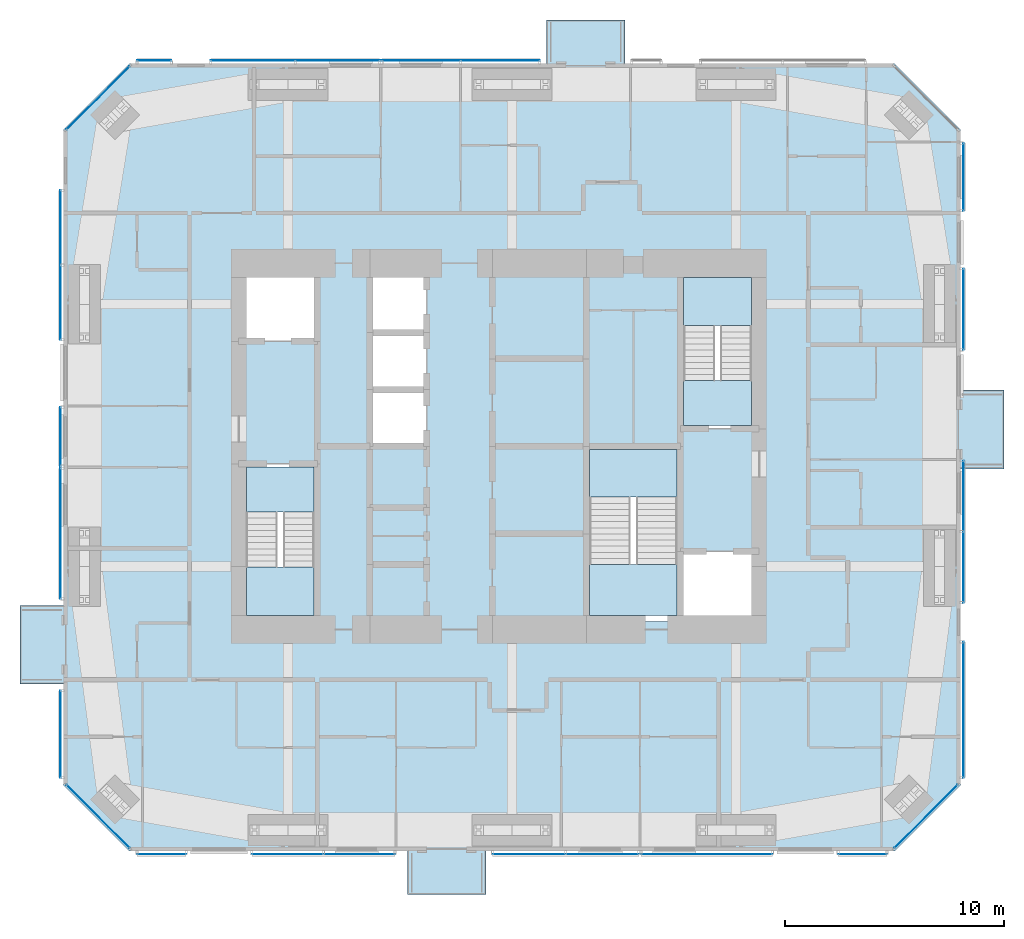
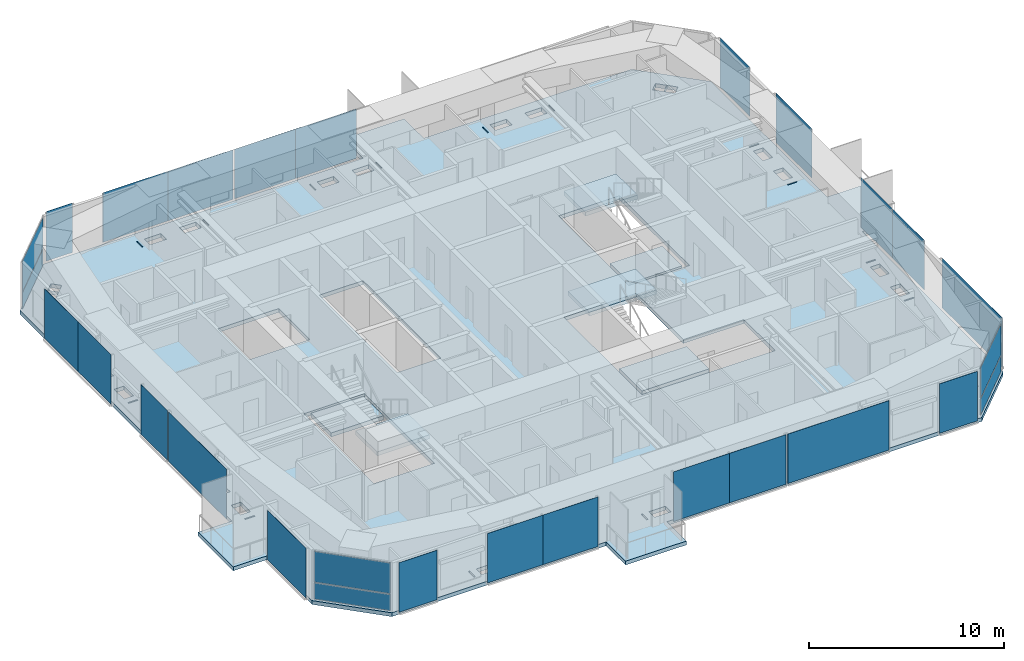
# One storey, part 15 of 23: 28 plates, 7 slabs, 22 elements without a shape of their own.
"""IFC4 building model written with IfcOpenShell, lengths in metres."""

from ifc_helpers import new_model, si_unit, direction, frame, origin, origin_2d, place, context, subcontext, project, spatial, polyline, rectangle, outline, extrude, material, layer, layer_set, type_object, element, aggregate, save


model = new_model("IFC4")

# Units and contexts
model_context = context("Model", 3, precision=1e-05, world=origin(), true_north=direction((0.0, 1.0)))
body_context = subcontext(model_context, "Body", "Model", "MODEL_VIEW")
ifc_project = project(units=[si_unit("LENGTHUNIT", "METRE"), si_unit("AREAUNIT", "SQUARE_METRE"), si_unit("VOLUMEUNIT", "CUBIC_METRE"), si_unit("PLANEANGLEUNIT", "RADIAN"), si_unit("MASSUNIT", "GRAM", prefix="KILO")], contexts=[model_context])

# Site, building, storey
site_placement = place(None, origin())
site = spatial("IfcSite", under=ifc_project, at=site_placement, CompositionType="ELEMENT")
building_placement = place(site_placement, origin())
building = spatial("IfcBuilding", under=site, at=building_placement, Name="Jalousie Tower", CompositionType="ELEMENT")
storey_placement = place(building_placement, frame((0.0, 0.0, 181.14990234375)))
storey = spatial("IfcBuildingStorey", under=building, at=storey_placement, Name="L49", CompositionType="ELEMENT", Elevation=181.14990234375)

# Curtain wall, plates
ifc_material_1 = material(Name="Aluminium curtain wall", Category="aluminium")
curtain_wall_type_1 = type_object("IfcCurtainWallType", Name="CORNER WINDOW WALL", PredefinedType="USERDEFINED", material=ifc_material_1)
curtain_wall_1_placement = place(storey_placement, origin())
curtain_wall_1 = element("IfcCurtainWall", 1, at=curtain_wall_1_placement, inside=storey, type_object=curtain_wall_type_1, Name="Corner Window Wall L49 2", ObjectType="CORNER WINDOW WALL", PredefinedType="USERDEFINED")
ifc_material_2 = material(Name="Laminated impact-rated spandrel glass", Category="glass")
ifc_layer_1 = layer(ifc_material_2, 0.028076171875)
ifc_layer_set_1 = layer_set([ifc_layer_1], Name="Laminated impact-rated spandrel glass")
plate_type_1 = type_object("IfcPlateType", Name="CORNER WINDOW WALL PANEL", PredefinedType="CURTAIN_PANEL", material=ifc_layer_set_1)
plate_1_placement = place(storey_placement, frame((51.4306640625, 1.5693359375, 0.06005859375), z_axis=(0.0, 0.0, 1.0), x_axis=(0.707106781187, 0.707106781187, 0.0)))
plate_1 = element("IfcPlate", 2, at=plate_1_placement, type_object=plate_type_1, Name="CW-C panel 1.1", PredefinedType="CURTAIN_PANEL", context=body_context, shape_type="SweptSolid", body=[
    extrude(rectangle(XDim=4.071533203125, YDim=0.028076171875, at=origin_2d()), origin(), (0.0, 0.0, 1.0), 1.010009765625),
])
plate_2_placement = place(storey_placement, frame((51.4306640625, 1.5693359375, 1.130126953125), z_axis=(0.0, 0.0, 1.0), x_axis=(0.707106781187, 0.707106781187, 0.0)))
plate_2 = element("IfcPlate", 3, at=plate_2_placement, type_object=plate_type_1, Name="CW-C panel 1.2", PredefinedType="CURTAIN_PANEL", context=body_context, shape_type="SweptSolid", body=[
    extrude(rectangle(XDim=4.071533203125, YDim=0.028076171875, at=origin_2d()), origin(), (0.0, 0.0, 1.0), 1.919921875),
])
aggregate(curtain_wall_1, [plate_1, plate_2])

curtain_wall_2_placement = place(storey_placement, origin())
curtain_wall_2 = element("IfcCurtainWall", 4, at=curtain_wall_2_placement, inside=storey, type_object=curtain_wall_type_1, Name="Corner Window Wall L49 6", ObjectType="CORNER WINDOW WALL", PredefinedType="USERDEFINED")
plate_3_placement = place(storey_placement, frame((13.5693359375, 34.4306640625, 0.06005859375), z_axis=(0.0, 0.0, 1.0), x_axis=(-0.707106781187, -0.707106781187, 0.0)))
plate_3 = element("IfcPlate", 5, at=plate_3_placement, type_object=plate_type_1, Name="CW-C panel 1.1", PredefinedType="CURTAIN_PANEL", context=body_context, shape_type="SweptSolid", body=[
    extrude(rectangle(XDim=4.071533203125, YDim=0.028076171875, at=origin_2d()), origin(), (0.0, 0.0, 1.0), 1.010009765625),
])
plate_4_placement = place(storey_placement, frame((13.5693359375, 34.4306640625, 1.130126953125), z_axis=(0.0, 0.0, 1.0), x_axis=(-0.707106781187, -0.707106781187, 0.0)))
plate_4 = element("IfcPlate", 6, at=plate_4_placement, type_object=plate_type_1, Name="CW-C panel 1.2", PredefinedType="CURTAIN_PANEL", context=body_context, shape_type="SweptSolid", body=[
    extrude(rectangle(XDim=4.071533203125, YDim=0.028076171875, at=origin_2d()), origin(), (0.0, 0.0, 1.0), 1.919921875),
])
aggregate(curtain_wall_2, [plate_3, plate_4])

curtain_wall_3_placement = place(storey_placement, origin())
curtain_wall_3 = element("IfcCurtainWall", 7, at=curtain_wall_3_placement, inside=storey, type_object=curtain_wall_type_1, Name="Corner Window Wall L49 8", ObjectType="CORNER WINDOW WALL", PredefinedType="USERDEFINED")
plate_5_placement = place(storey_placement, frame((13.5693359375, 1.5693359375, 0.06005859375), z_axis=(0.0, 0.0, 1.0), x_axis=(0.707106781187, -0.707106781187, 0.0)))
plate_5 = element("IfcPlate", 8, at=plate_5_placement, type_object=plate_type_1, Name="CW-C panel 1.1", PredefinedType="CURTAIN_PANEL", context=body_context, shape_type="SweptSolid", body=[
    extrude(rectangle(XDim=4.071533203125, YDim=0.028076171875, at=origin_2d()), origin(), (0.0, 0.0, 1.0), 1.010009765625),
])
plate_6_placement = place(storey_placement, frame((13.5693359375, 1.5693359375, 1.130126953125), z_axis=(0.0, 0.0, 1.0), x_axis=(0.707106781187, -0.707106781187, 0.0)))
plate_6 = element("IfcPlate", 9, at=plate_6_placement, type_object=plate_type_1, Name="CW-C panel 1.2", PredefinedType="CURTAIN_PANEL", context=body_context, shape_type="SweptSolid", body=[
    extrude(rectangle(XDim=4.071533203125, YDim=0.028076171875, at=origin_2d()), origin(), (0.0, 0.0, 1.0), 1.919921875),
])
aggregate(curtain_wall_3, [plate_5, plate_6])

# Slab
ifc_material_3 = material(Name="Concrete f'c 40 MPa", Category="concrete")
ifc_layer_2 = layer(ifc_material_3, 0.239990234375)
ifc_layer_set_2 = layer_set([ifc_layer_2], Name="Concrete f'c 40 MPa")
slab_type_1 = type_object("IfcSlabType", Name="FLOOR SLAB 240", PredefinedType="FLOOR", material=ifc_layer_set_2)
slab_1_placement = place(storey_placement, frame((0.0, 0.0, -0.239990234375)))
element("IfcSlab", 10, at=slab_1_placement, inside=storey, type_object=slab_type_1, Name="L49 floor slab", PredefinedType="FLOOR", context=body_context, shape_type="SweptSolid", body=[
    extrude(outline(polyline([(34.074951171875, 36.0), (34.074951171875, 38.0), (37.675048828125, 38.0), (37.675048828125, 36.0), (50.0, 36.0), (53.0, 33.0), (53.0, 21.074951171875), (55.0, 21.074951171875), (55.0, 17.47509765625), (53.0, 17.47509765625), (53.0, 3.0), (50.0, 0.0), (31.3125, 0.0), (31.3125, -2.0), (27.71240234375, -2.0), (27.71240234375, 0.0), (15.0, 0.0), (12.0, 3.0), (12.0, 7.625), (10.0, 7.625), (10.0, 11.22509765625), (12.0, 11.22509765625), (12.0, 33.0), (15.0, 36.0), (34.074951171875, 36.0)]), holes=[polyline([(51.763916015625, 23.080810546875), (51.763916015625, 23.0), (52.336181640625, 23.0), (52.336181640625, 23.080810546875), (51.763916015625, 23.080810546875)]), polyline([(51.763916015625, 14.52490234375), (51.763916015625, 13.54150390625), (52.336181640625, 13.54150390625), (52.336181640625, 14.52490234375), (51.763916015625, 14.52490234375)]), polyline([(51.763916015625, 11.080810546875), (51.763916015625, 11.0), (52.336181640625, 11.0), (52.336181640625, 11.080810546875), (51.763916015625, 11.080810546875)]), polyline([(52.336181640625, 26.919189453125), (52.336181640625, 27.0), (51.763916015625, 27.0), (51.763916015625, 26.919189453125), (52.336181640625, 26.919189453125)]), polyline([(51.763916015625, 25.54150390625), (52.336181640625, 25.54150390625), (52.336181640625, 26.52490234375), (51.763916015625, 26.52490234375), (51.763916015625, 25.54150390625)]), polyline([(52.336181640625, 23.47509765625), (52.336181640625, 24.45849609375), (51.763916015625, 24.45849609375), (51.763916015625, 23.47509765625), (52.336181640625, 23.47509765625)]), polyline([(52.336181640625, 14.919189453125), (52.336181640625, 15.0), (51.763916015625, 15.0), (51.763916015625, 14.919189453125), (52.336181640625, 14.919189453125)]), polyline([(52.336181640625, 11.47509765625), (52.336181640625, 12.45849609375), (51.763916015625, 12.45849609375), (51.763916015625, 11.47509765625), (52.336181640625, 11.47509765625)]), polyline([(50.873291015625, 2.97509765625), (50.451904296875, 2.553466796875), (50.856689453125, 2.148681640625), (51.278076171875, 2.5703125), (50.873291015625, 2.97509765625)]), polyline([(50.451904296875, 33.446533203125), (50.873291015625, 33.02490234375), (51.278076171875, 33.4296875), (50.856689453125, 33.851318359375), (50.451904296875, 33.446533203125)]), polyline([(50.851318359375, 33.856689453125), (50.4296875, 34.278076171875), (50.02490234375, 33.873291015625), (50.446533203125, 33.451904296875), (50.851318359375, 33.856689453125)]), polyline([(50.4296875, 1.721923828125), (50.851318359375, 2.143310546875), (50.446533203125, 2.548095703125), (50.02490234375, 2.126708984375), (50.4296875, 1.721923828125)]), polyline([(44.669189453125, 34.763916015625), (44.75, 34.763916015625), (44.75, 35.336181640625), (44.669189453125, 35.336181640625), (44.669189453125, 34.763916015625)]), polyline([(44.669189453125, 0.663818359375), (44.75, 0.663818359375), (44.75, 1.236083984375), (44.669189453125, 1.236083984375), (44.669189453125, 0.663818359375)]), polyline([(44.27490234375, 35.336181640625), (43.29150390625, 35.336181640625), (43.29150390625, 34.763916015625), (44.27490234375, 34.763916015625), (44.27490234375, 35.336181640625)]), polyline([(44.27490234375, 1.236083984375), (43.29150390625, 1.236083984375), (43.29150390625, 0.663818359375), (44.27490234375, 0.663818359375), (44.27490234375, 1.236083984375)]), polyline([(43.800048828125, 13.699951171875), (40.199951171875, 13.699951171875), (40.199951171875, 18.5), (35.89990234375, 18.5), (35.89990234375, 10.5), (43.800048828125, 10.5), (43.800048828125, 13.699951171875)]), polyline([(40.199951171875, 19.300048828125), (43.800048828125, 19.300048828125), (43.800048828125, 26.5), (40.199951171875, 26.5), (40.199951171875, 19.300048828125)]), polyline([(42.20849609375, 34.763916015625), (42.20849609375, 35.336181640625), (41.22509765625, 35.336181640625), (41.22509765625, 34.763916015625), (42.20849609375, 34.763916015625)]), polyline([(42.20849609375, 0.663818359375), (42.20849609375, 1.236083984375), (41.22509765625, 1.236083984375), (41.22509765625, 0.663818359375), (42.20849609375, 0.663818359375)]), polyline([(40.830810546875, 35.336181640625), (40.75, 35.336181640625), (40.75, 34.763916015625), (40.830810546875, 34.763916015625), (40.830810546875, 35.336181640625)]), polyline([(40.830810546875, 1.236083984375), (40.75, 1.236083984375), (40.75, 0.663818359375), (40.830810546875, 0.663818359375), (40.830810546875, 1.236083984375)]), polyline([(34.419189453125, 34.763916015625), (34.5, 34.763916015625), (34.5, 35.336181640625), (34.419189453125, 35.336181640625), (34.419189453125, 34.763916015625)]), polyline([(34.419189453125, 0.663818359375), (34.5, 0.663818359375), (34.5, 1.236083984375), (34.419189453125, 1.236083984375), (34.419189453125, 0.663818359375)]), polyline([(34.02490234375, 35.336181640625), (33.04150390625, 35.336181640625), (33.04150390625, 34.763916015625), (34.02490234375, 34.763916015625), (34.02490234375, 35.336181640625)]), polyline([(34.02490234375, 1.236083984375), (33.04150390625, 1.236083984375), (33.04150390625, 0.663818359375), (34.02490234375, 0.663818359375), (34.02490234375, 1.236083984375)]), polyline([(30.97509765625, 34.763916015625), (31.95849609375, 34.763916015625), (31.95849609375, 35.336181640625), (30.97509765625, 35.336181640625), (30.97509765625, 34.763916015625)]), polyline([(30.97509765625, 0.663818359375), (31.95849609375, 0.663818359375), (31.95849609375, 1.236083984375), (30.97509765625, 1.236083984375), (30.97509765625, 0.663818359375)]), polyline([(30.580810546875, 35.336181640625), (30.5, 35.336181640625), (30.5, 34.763916015625), (30.580810546875, 34.763916015625), (30.580810546875, 35.336181640625)]), polyline([(30.580810546875, 1.236083984375), (30.5, 1.236083984375), (30.5, 0.663818359375), (30.580810546875, 0.663818359375), (30.580810546875, 1.236083984375)]), polyline([(26.0, 26.5), (26.0, 18.5), (28.60009765625, 18.5), (28.60009765625, 26.5), (26.0, 26.5)]), polyline([(24.169189453125, 34.763916015625), (24.25, 34.763916015625), (24.25, 35.336181640625), (24.169189453125, 35.336181640625), (24.169189453125, 34.763916015625)]), polyline([(24.169189453125, 0.663818359375), (24.25, 0.663818359375), (24.25, 1.236083984375), (24.169189453125, 1.236083984375), (24.169189453125, 0.663818359375)]), polyline([(23.77490234375, 35.336181640625), (22.79150390625, 35.336181640625), (22.79150390625, 34.763916015625), (23.77490234375, 34.763916015625), (23.77490234375, 35.336181640625)]), polyline([(23.77490234375, 1.236083984375), (22.79150390625, 1.236083984375), (22.79150390625, 0.663818359375), (23.77490234375, 0.663818359375), (23.77490234375, 1.236083984375)]), polyline([(20.0, 23.300048828125), (23.60009765625, 23.300048828125), (23.60009765625, 26.5), (20.0, 26.5), (20.0, 23.300048828125)]), polyline([(20.0, 10.5), (23.60009765625, 10.5), (23.60009765625, 17.699951171875), (20.0, 17.699951171875), (20.0, 10.5)]), polyline([(21.70849609375, 0.663818359375), (21.70849609375, 1.236083984375), (20.72509765625, 1.236083984375), (20.72509765625, 0.663818359375), (21.70849609375, 0.663818359375)]), polyline([(20.72509765625, 34.763916015625), (21.70849609375, 34.763916015625), (21.70849609375, 35.336181640625), (20.72509765625, 35.336181640625), (20.72509765625, 34.763916015625)]), polyline([(20.330810546875, 35.336181640625), (20.25, 35.336181640625), (20.25, 34.763916015625), (20.330810546875, 34.763916015625), (20.330810546875, 35.336181640625)]), polyline([(20.25, 1.236083984375), (20.25, 0.663818359375), (20.330810546875, 0.663818359375), (20.330810546875, 1.236083984375), (20.25, 1.236083984375)]), polyline([(14.97509765625, 2.126708984375), (14.553466796875, 2.548095703125), (14.148681640625, 2.143310546875), (14.5703125, 1.721923828125), (14.97509765625, 2.126708984375)]), polyline([(14.553466796875, 33.451904296875), (14.97509765625, 33.873291015625), (14.5703125, 34.278076171875), (14.148681640625, 33.856689453125), (14.553466796875, 33.451904296875)]), polyline([(14.143310546875, 33.851318359375), (13.721923828125, 33.4296875), (14.126708984375, 33.02490234375), (14.548095703125, 33.446533203125), (14.143310546875, 33.851318359375)]), polyline([(14.548095703125, 2.553466796875), (14.126708984375, 2.97509765625), (13.721923828125, 2.5703125), (14.143310546875, 2.148681640625), (14.548095703125, 2.553466796875)]), polyline([(13.236083984375, 11.47509765625), (13.236083984375, 12.45849609375), (12.663818359375, 12.45849609375), (12.663818359375, 11.47509765625), (13.236083984375, 11.47509765625)]), polyline([(12.663818359375, 26.52490234375), (12.663818359375, 25.54150390625), (13.236083984375, 25.54150390625), (13.236083984375, 26.52490234375), (12.663818359375, 26.52490234375)]), polyline([(12.663818359375, 23.080810546875), (12.663818359375, 23.0), (13.236083984375, 23.0), (13.236083984375, 23.080810546875), (12.663818359375, 23.080810546875)]), polyline([(12.663818359375, 11.080810546875), (12.663818359375, 11.0), (13.236083984375, 11.0), (13.236083984375, 11.080810546875), (12.663818359375, 11.080810546875)]), polyline([(13.236083984375, 26.919189453125), (13.236083984375, 27.0), (12.663818359375, 27.0), (12.663818359375, 26.919189453125), (13.236083984375, 26.919189453125)]), polyline([(13.236083984375, 23.47509765625), (13.236083984375, 24.45849609375), (12.663818359375, 24.45849609375), (12.663818359375, 23.47509765625), (13.236083984375, 23.47509765625)]), polyline([(13.236083984375, 14.919189453125), (13.236083984375, 15.0), (12.663818359375, 15.0), (12.663818359375, 14.919189453125), (13.236083984375, 14.919189453125)]), polyline([(12.663818359375, 13.54150390625), (13.236083984375, 13.54150390625), (13.236083984375, 14.52490234375), (12.663818359375, 14.52490234375), (12.663818359375, 13.54150390625)])]), origin(), (0.0, 0.0, 1.0), 0.239990234375),
])

# Curtain wall, plate
ifc_material_4 = material(Name="Perforated aluminium sheet", Category="aluminium")
curtain_wall_type_2 = type_object("IfcCurtainWallType", Name="SOLAR SCREEN SS-1", PredefinedType="USERDEFINED", material=ifc_material_4)
curtain_wall_4_placement = place(storey_placement, origin())
curtain_wall_4 = element("IfcCurtainWall", 11, at=curtain_wall_4_placement, inside=storey, type_object=curtain_wall_type_2, Name="Solar screen L49", ObjectType="SOLAR SCREEN SS-1", PredefinedType="USERDEFINED")
ifc_material_5 = material(Name="Perforated aluminium sheet", Category="aluminium")
ifc_layer_3 = layer(ifc_material_5, 0.006103515625)
ifc_layer_set_3 = layer_set([ifc_layer_3], Name="Perforated aluminium sheet")
plate_type_2 = type_object("IfcPlateType", Name="SOLAR SCREEN SS-1 PANEL", PredefinedType="CURTAIN_PANEL", material=ifc_layer_set_3)
plate_7_placement = place(storey_placement, frame((16.4755859375, -0.150390625, 0.0), z_axis=(0.0, 0.0, 1.0), x_axis=(1.0, 0.0, 0.0)))
plate_7 = element("IfcPlate", 12, at=plate_7_placement, type_object=plate_type_2, Name="SS1 perforated panel 1", PredefinedType="CURTAIN_PANEL", context=body_context, shape_type="SweptSolid", body=[
    extrude(rectangle(XDim=2.248779296875, YDim=0.006103515625, at=origin_2d()), origin(), (0.0, 0.0, 1.0), 3.110107421875),
])
aggregate(curtain_wall_4, [plate_7])

# Curtain wall, plates
curtain_wall_5_placement = place(storey_placement, origin())
curtain_wall_5 = element("IfcCurtainWall", 13, at=curtain_wall_5_placement, inside=storey, type_object=curtain_wall_type_2, Name="Solar screen L49", ObjectType="SOLAR SCREEN SS-1", PredefinedType="USERDEFINED")
plate_8_placement = place(storey_placement, frame((22.237548828125, -0.150390625, 0.0), z_axis=(0.0, 0.0, 1.0), x_axis=(1.0, 0.0, 0.0)))
plate_8 = element("IfcPlate", 14, at=plate_8_placement, type_object=plate_type_2, Name="SS1 perforated panel 1", PredefinedType="CURTAIN_PANEL", context=body_context, shape_type="SweptSolid", body=[
    extrude(rectangle(XDim=3.27490234375, YDim=0.006103515625, at=origin_2d()), origin(), (0.0, 0.0, 1.0), 3.110107421875),
])
plate_9_placement = place(storey_placement, frame((25.512451171875, -0.150390625, 0.0), z_axis=(0.0, 0.0, 1.0), x_axis=(1.0, 0.0, 0.0)))
plate_9 = element("IfcPlate", 15, at=plate_9_placement, type_object=plate_type_2, Name="SS1 perforated panel 2", PredefinedType="CURTAIN_PANEL", context=body_context, shape_type="SweptSolid", body=[
    extrude(rectangle(XDim=3.27490234375, YDim=0.006103515625, at=origin_2d()), origin(), (0.0, 0.0, 1.0), 3.110107421875),
])
aggregate(curtain_wall_5, [plate_8, plate_9])

curtain_wall_6_placement = place(storey_placement, origin())
curtain_wall_6 = element("IfcCurtainWall", 16, at=curtain_wall_6_placement, inside=storey, type_object=curtain_wall_type_2, Name="Solar screen L49", ObjectType="SOLAR SCREEN SS-1", PredefinedType="USERDEFINED")
plate_10_placement = place(storey_placement, frame((33.284423828125, -0.150390625, 0.0), z_axis=(0.0, 0.0, 1.0), x_axis=(1.0, 0.0, 0.0)))
plate_10 = element("IfcPlate", 17, at=plate_10_placement, type_object=plate_type_2, Name="SS1 perforated panel 1", PredefinedType="CURTAIN_PANEL", context=body_context, shape_type="SweptSolid", body=[
    extrude(rectangle(XDim=3.34375, YDim=0.006103515625, at=origin_2d()), origin(), (0.0, 0.0, 1.0), 3.110107421875),
])
plate_11_placement = place(storey_placement, frame((36.628173828125, -0.150390625, 0.0), z_axis=(0.0, 0.0, 1.0), x_axis=(1.0, 0.0, 0.0)))
plate_11 = element("IfcPlate", 18, at=plate_11_placement, type_object=plate_type_2, Name="SS1 perforated panel 2", PredefinedType="CURTAIN_PANEL", context=body_context, shape_type="SweptSolid", body=[
    extrude(rectangle(XDim=3.34375, YDim=0.006103515625, at=origin_2d()), origin(), (0.0, 0.0, 1.0), 3.110107421875),
])
aggregate(curtain_wall_6, [plate_10, plate_11])

# Curtain wall, plate
curtain_wall_7_placement = place(storey_placement, origin())
curtain_wall_7 = element("IfcCurtainWall", 19, at=curtain_wall_7_placement, inside=storey, type_object=curtain_wall_type_2, Name="Solar screen L49", ObjectType="SOLAR SCREEN SS-1", PredefinedType="USERDEFINED")
plate_12_placement = place(storey_placement, frame((41.405029296875, -0.150390625, 0.0), z_axis=(0.0, 0.0, 1.0), x_axis=(1.0, 0.0, 0.0)))
plate_12 = element("IfcPlate", 20, at=plate_12_placement, type_object=plate_type_2, Name="SS1 perforated panel 1", PredefinedType="CURTAIN_PANEL", context=body_context, shape_type="SweptSolid", body=[
    extrude(rectangle(XDim=6.010009765625, YDim=0.006103515625, at=origin_2d()), origin(), (0.0, 0.0, 1.0), 3.110107421875),
])
aggregate(curtain_wall_7, [plate_12])

curtain_wall_8_placement = place(storey_placement, origin())
curtain_wall_8 = element("IfcCurtainWall", 21, at=curtain_wall_8_placement, inside=storey, type_object=curtain_wall_type_2, Name="Solar screen L49", ObjectType="SOLAR SCREEN SS-1", PredefinedType="USERDEFINED")
plate_13_placement = place(storey_placement, frame((48.529296875, -0.150390625, 0.0), z_axis=(0.0, 0.0, 1.0), x_axis=(1.0, 0.0, 0.0)))
plate_13 = element("IfcPlate", 22, at=plate_13_placement, type_object=plate_type_2, Name="SS1 perforated panel 1", PredefinedType="CURTAIN_PANEL", context=body_context, shape_type="SweptSolid", body=[
    extrude(rectangle(XDim=2.23876953125, YDim=0.006103515625, at=origin_2d()), origin(), (0.0, 0.0, 1.0), 3.110107421875),
])
aggregate(curtain_wall_8, [plate_13])

curtain_wall_9_placement = place(storey_placement, origin())
curtain_wall_9 = element("IfcCurtainWall", 23, at=curtain_wall_9_placement, inside=storey, type_object=curtain_wall_type_2, Name="Solar screen L49", ObjectType="SOLAR SCREEN SS-1", PredefinedType="USERDEFINED")
plate_14_placement = place(storey_placement, frame((53.150390625, 6.455322265625, 0.0), z_axis=(0.0, 0.0, 1.0), x_axis=(0.0, 1.0, 0.0)))
plate_14 = element("IfcPlate", 24, at=plate_14_placement, type_object=plate_type_2, Name="SS1 perforated panel 1", PredefinedType="CURTAIN_PANEL", context=body_context, shape_type="SweptSolid", body=[
    extrude(rectangle(XDim=6.2080078125, YDim=0.006103515625, at=origin_2d()), origin(), (0.0, 0.0, 1.0), 3.110107421875),
])
aggregate(curtain_wall_9, [plate_14])

# Curtain wall, plates
curtain_wall_10_placement = place(storey_placement, origin())
curtain_wall_10 = element("IfcCurtainWall", 25, at=curtain_wall_10_placement, inside=storey, type_object=curtain_wall_type_2, Name="Solar screen L49", ObjectType="SOLAR SCREEN SS-1", PredefinedType="USERDEFINED")
plate_15_placement = place(storey_placement, frame((53.150390625, 12.982177734375, 0.0), z_axis=(0.0, 0.0, 1.0), x_axis=(0.0, 1.0, 0.0)))
plate_15 = element("IfcPlate", 26, at=plate_15_placement, type_object=plate_type_2, Name="SS1 perforated panel 1", PredefinedType="CURTAIN_PANEL", context=body_context, shape_type="SweptSolid", body=[
    extrude(rectangle(XDim=3.245361328125, YDim=0.006103515625, at=origin_2d()), origin(), (0.0, 0.0, 1.0), 3.110107421875),
])
plate_16_placement = place(storey_placement, frame((53.150390625, 16.227294921875, 0.0), z_axis=(0.0, 0.0, 1.0), x_axis=(0.0, 1.0, 0.0)))
plate_16 = element("IfcPlate", 27, at=plate_16_placement, type_object=plate_type_2, Name="SS1 perforated panel 2", PredefinedType="CURTAIN_PANEL", context=body_context, shape_type="SweptSolid", body=[
    extrude(rectangle(XDim=3.245361328125, YDim=0.006103515625, at=origin_2d()), origin(), (0.0, 0.0, 1.0), 3.110107421875),
])
aggregate(curtain_wall_10, [plate_15, plate_16])

# Curtain wall, plate
curtain_wall_11_placement = place(storey_placement, origin())
curtain_wall_11 = element("IfcCurtainWall", 28, at=curtain_wall_11_placement, inside=storey, type_object=curtain_wall_type_2, Name="Solar screen L49", ObjectType="SOLAR SCREEN SS-1", PredefinedType="USERDEFINED")
plate_17_placement = place(storey_placement, frame((53.150390625, 24.768798828125, 0.0), z_axis=(0.0, 0.0, 1.0), x_axis=(0.0, 1.0, 0.0)))
plate_17 = element("IfcPlate", 29, at=plate_17_placement, type_object=plate_type_2, Name="SS1 perforated panel 1", PredefinedType="CURTAIN_PANEL", context=body_context, shape_type="SweptSolid", body=[
    extrude(rectangle(XDim=3.71240234375, YDim=0.006103515625, at=origin_2d()), origin(), (0.0, 0.0, 1.0), 3.110107421875),
])
aggregate(curtain_wall_11, [plate_17])

curtain_wall_12_placement = place(storey_placement, origin())
curtain_wall_12 = element("IfcCurtainWall", 30, at=curtain_wall_12_placement, inside=storey, type_object=curtain_wall_type_2, Name="Solar screen L49", ObjectType="SOLAR SCREEN SS-1", PredefinedType="USERDEFINED")
plate_18_placement = place(storey_placement, frame((53.150390625, 30.822509765625, 0.0), z_axis=(0.0, 0.0, 1.0), x_axis=(0.0, 1.0, 0.0)))
plate_18 = element("IfcPlate", 31, at=plate_18_placement, type_object=plate_type_2, Name="SS1 perforated panel 1", PredefinedType="CURTAIN_PANEL", context=body_context, shape_type="SweptSolid", body=[
    extrude(rectangle(XDim=3.09521484375, YDim=0.006103515625, at=origin_2d()), origin(), (0.0, 0.0, 1.0), 3.110107421875),
])
aggregate(curtain_wall_12, [plate_18])

# Curtain wall, plates
curtain_wall_13_placement = place(storey_placement, origin())
curtain_wall_13 = element("IfcCurtainWall", 32, at=curtain_wall_13_placement, inside=storey, type_object=curtain_wall_type_2, Name="Solar screen L49", ObjectType="SOLAR SCREEN SS-1", PredefinedType="USERDEFINED")
plate_19_placement = place(storey_placement, frame((31.96875, 36.150390625, 0.0), z_axis=(0.0, 0.0, 1.0), x_axis=(-1.0, 0.0, 0.0)))
plate_19 = element("IfcPlate", 33, at=plate_19_placement, type_object=plate_type_2, Name="SS1 perforated panel 1", PredefinedType="CURTAIN_PANEL", context=body_context, shape_type="SweptSolid", body=[
    extrude(rectangle(XDim=3.612548828125, YDim=0.006103515625, at=origin_2d()), origin(), (0.0, 0.0, 1.0), 3.110107421875),
])
plate_20_placement = place(storey_placement, frame((28.356201171875, 36.150390625, 0.0), z_axis=(0.0, 0.0, 1.0), x_axis=(-1.0, 0.0, 0.0)))
plate_20 = element("IfcPlate", 34, at=plate_20_placement, type_object=plate_type_2, Name="SS1 perforated panel 2", PredefinedType="CURTAIN_PANEL", context=body_context, shape_type="SweptSolid", body=[
    extrude(rectangle(XDim=3.612548828125, YDim=0.006103515625, at=origin_2d()), origin(), (0.0, 0.0, 1.0), 3.110107421875),
])
aggregate(curtain_wall_13, [plate_19, plate_20])

curtain_wall_14_placement = place(storey_placement, origin())
curtain_wall_14 = element("IfcCurtainWall", 35, at=curtain_wall_14_placement, inside=storey, type_object=curtain_wall_type_2, Name="Solar screen L49", ObjectType="SOLAR SCREEN SS-1", PredefinedType="USERDEFINED")
plate_21_placement = place(storey_placement, frame((24.518798828125, 36.150390625, 0.0), z_axis=(0.0, 0.0, 1.0), x_axis=(-1.0, 0.0, 0.0)))
plate_21 = element("IfcPlate", 36, at=plate_21_placement, type_object=plate_type_2, Name="SS1 perforated panel 1", PredefinedType="CURTAIN_PANEL", context=body_context, shape_type="SweptSolid", body=[
    extrude(rectangle(XDim=3.8623046875, YDim=0.006103515625, at=origin_2d()), origin(), (0.0, 0.0, 1.0), 3.110107421875),
])
plate_22_placement = place(storey_placement, frame((20.65673828125, 36.150390625, 0.0), z_axis=(0.0, 0.0, 1.0), x_axis=(-1.0, 0.0, 0.0)))
plate_22 = element("IfcPlate", 37, at=plate_22_placement, type_object=plate_type_2, Name="SS1 perforated panel 2", PredefinedType="CURTAIN_PANEL", context=body_context, shape_type="SweptSolid", body=[
    extrude(rectangle(XDim=3.8623046875, YDim=0.006103515625, at=origin_2d()), origin(), (0.0, 0.0, 1.0), 3.110107421875),
])
aggregate(curtain_wall_14, [plate_21, plate_22])

# Curtain wall, plate
curtain_wall_15_placement = place(storey_placement, origin())
curtain_wall_15 = element("IfcCurtainWall", 38, at=curtain_wall_15_placement, inside=storey, type_object=curtain_wall_type_2, Name="Solar screen L49", ObjectType="SOLAR SCREEN SS-1", PredefinedType="USERDEFINED")
plate_23_placement = place(storey_placement, frame((16.138427734375, 36.150390625, 0.0), z_axis=(0.0, 0.0, 1.0), x_axis=(-1.0, 0.0, 0.0)))
plate_23 = element("IfcPlate", 39, at=plate_23_placement, type_object=plate_type_2, Name="SS1 perforated panel 1", PredefinedType="CURTAIN_PANEL", context=body_context, shape_type="SweptSolid", body=[
    extrude(rectangle(XDim=1.57421875, YDim=0.006103515625, at=origin_2d()), origin(), (0.0, 0.0, 1.0), 3.110107421875),
])
aggregate(curtain_wall_15, [plate_23])

# Curtain wall, plates
curtain_wall_16_placement = place(storey_placement, origin())
curtain_wall_16 = element("IfcCurtainWall", 40, at=curtain_wall_16_placement, inside=storey, type_object=curtain_wall_type_2, Name="Solar screen L49", ObjectType="SOLAR SCREEN SS-1", PredefinedType="USERDEFINED")
plate_24_placement = place(storey_placement, frame((11.849609375, 28.502685546875, 0.0), z_axis=(0.0, 0.0, 1.0), x_axis=(0.0, -1.0, 0.0)))
plate_24 = element("IfcPlate", 41, at=plate_24_placement, type_object=plate_type_2, Name="SS1 perforated panel 1", PredefinedType="CURTAIN_PANEL", context=body_context, shape_type="SweptSolid", body=[
    extrude(rectangle(XDim=3.41845703125, YDim=0.006103515625, at=origin_2d()), origin(), (0.0, 0.0, 1.0), 3.110107421875),
])
plate_25_placement = place(storey_placement, frame((11.849609375, 25.084228515625, 0.0), z_axis=(0.0, 0.0, 1.0), x_axis=(0.0, -1.0, 0.0)))
plate_25 = element("IfcPlate", 42, at=plate_25_placement, type_object=plate_type_2, Name="SS1 perforated panel 2", PredefinedType="CURTAIN_PANEL", context=body_context, shape_type="SweptSolid", body=[
    extrude(rectangle(XDim=3.41845703125, YDim=0.006103515625, at=origin_2d()), origin(), (0.0, 0.0, 1.0), 3.110107421875),
])
aggregate(curtain_wall_16, [plate_24, plate_25])

# Curtain wall, plate
curtain_wall_17_placement = place(storey_placement, origin())
curtain_wall_17 = element("IfcCurtainWall", 43, at=curtain_wall_17_placement, inside=storey, type_object=curtain_wall_type_2, Name="Solar screen L49", ObjectType="SOLAR SCREEN SS-1", PredefinedType="USERDEFINED")
plate_26_placement = place(storey_placement, frame((11.849609375, 18.949951171875, 0.0), z_axis=(0.0, 0.0, 1.0), x_axis=(0.0, -1.0, 0.0)))
plate_26 = element("IfcPlate", 44, at=plate_26_placement, type_object=plate_type_2, Name="SS1 perforated panel 1", PredefinedType="CURTAIN_PANEL", context=body_context, shape_type="SweptSolid", body=[
    extrude(rectangle(XDim=2.699951171875, YDim=0.006103515625, at=origin_2d()), origin(), (0.0, 0.0, 1.0), 3.110107421875),
])
aggregate(curtain_wall_17, [plate_26])

curtain_wall_18_placement = place(storey_placement, origin())
curtain_wall_18 = element("IfcCurtainWall", 45, at=curtain_wall_18_placement, inside=storey, type_object=curtain_wall_type_2, Name="Solar screen L49", ObjectType="SOLAR SCREEN SS-1", PredefinedType="USERDEFINED")
plate_27_placement = place(storey_placement, frame((11.849609375, 14.512451171875, 0.0), z_axis=(0.0, 0.0, 1.0), x_axis=(0.0, -1.0, 0.0)))
plate_27 = element("IfcPlate", 46, at=plate_27_placement, type_object=plate_type_2, Name="SS1 perforated panel 1", PredefinedType="CURTAIN_PANEL", context=body_context, shape_type="SweptSolid", body=[
    extrude(rectangle(XDim=5.97509765625, YDim=0.006103515625, at=origin_2d()), origin(), (0.0, 0.0, 1.0), 3.110107421875),
])
aggregate(curtain_wall_18, [plate_27])

curtain_wall_19_placement = place(storey_placement, origin())
curtain_wall_19 = element("IfcCurtainWall", 47, at=curtain_wall_19_placement, inside=storey, type_object=curtain_wall_type_2, Name="Solar screen L49", ObjectType="SOLAR SCREEN SS-1", PredefinedType="USERDEFINED")
plate_28_placement = place(storey_placement, frame((11.849609375, 5.338134765625, 0.0), z_axis=(0.0, 0.0, 1.0), x_axis=(0.0, -1.0, 0.0)))
plate_28 = element("IfcPlate", 48, at=plate_28_placement, type_object=plate_type_2, Name="SS1 perforated panel 1", PredefinedType="CURTAIN_PANEL", context=body_context, shape_type="SweptSolid", body=[
    extrude(rectangle(XDim=3.9736328125, YDim=0.006103515625, at=origin_2d()), origin(), (0.0, 0.0, 1.0), 3.110107421875),
])
aggregate(curtain_wall_19, [plate_28])

# Stair, slabs
ifc_material_6 = material(Name="Concrete f'c 40 MPa", Category="concrete")
stair_type = type_object("IfcStairType", Name="EXIT STAIR", PredefinedType="HALF_TURN_STAIR", material=ifc_material_6)
stair_1_placement = place(storey_placement, origin())
stair_1 = element("IfcStair", 49, at=stair_1_placement, inside=storey, type_object=stair_type, Name="Exit stair A L49", PredefinedType="HALF_TURN_STAIR")
ifc_material_7 = material(Name="Concrete f'c 40 MPa", Category="concrete")
ifc_layer_4 = layer(ifc_material_7, 0.25)
ifc_layer_set_4 = layer_set([ifc_layer_4], Name="Concrete f'c 40 MPa")
slab_type_2 = type_object("IfcSlabType", Name="STAIR LANDING 250", PredefinedType="LANDING", material=ifc_layer_set_4)
slab_2_placement = place(storey_placement, frame((0.0, 0.0, -0.25)))
slab_2 = element("IfcSlab", 50, at=slab_2_placement, type_object=slab_type_2, Name="ST-A landing 1", PredefinedType="LANDING", context=body_context, shape_type="SweptSolid", body=[
    extrude(outline(polyline([(20.35009765625, 15.49755859375), (23.449951171875, 15.49755859375), (23.449951171875, 17.550048828125), (20.35009765625, 17.550048828125), (20.35009765625, 15.49755859375)])), origin(), (0.0, 0.0, 1.0), 0.25),
])
slab_3_placement = place(storey_placement, frame((0.0, 0.0, 1.425048828125)))
slab_3 = element("IfcSlab", 51, at=slab_3_placement, type_object=slab_type_2, Name="ST-A landing 2", PredefinedType="LANDING", context=body_context, shape_type="SweptSolid", body=[
    extrude(outline(polyline([(20.35009765625, 10.77490234375), (23.449951171875, 10.77490234375), (23.449951171875, 12.9775390625), (20.35009765625, 12.9775390625), (20.35009765625, 10.77490234375)])), origin(), (0.0, 0.0, 1.0), 0.25),
])
aggregate(stair_1, [slab_2, slab_3])

stair_2_placement = place(storey_placement, origin())
stair_2 = element("IfcStair", 52, at=stair_2_placement, inside=storey, type_object=stair_type, Name="Exit stair B L49", PredefinedType="HALF_TURN_STAIR")
slab_4_placement = place(storey_placement, frame((0.0, 0.0, -0.25)))
slab_4 = element("IfcSlab", 53, at=slab_4_placement, type_object=slab_type_2, Name="ST-B landing 1", PredefinedType="LANDING", context=body_context, shape_type="SweptSolid", body=[
    extrude(outline(polyline([(40.35009765625, 19.449951171875), (43.449951171875, 19.449951171875), (43.449951171875, 21.50244140625), (40.35009765625, 21.50244140625), (40.35009765625, 19.449951171875)])), origin(), (0.0, 0.0, 1.0), 0.25),
])
slab_5_placement = place(storey_placement, frame((0.0, 0.0, 1.425048828125)))
slab_5 = element("IfcSlab", 54, at=slab_5_placement, type_object=slab_type_2, Name="ST-B landing 2", PredefinedType="LANDING", context=body_context, shape_type="SweptSolid", body=[
    extrude(outline(polyline([(40.35009765625, 24.0224609375), (43.449951171875, 24.0224609375), (43.449951171875, 26.22509765625), (40.35009765625, 26.22509765625), (40.35009765625, 24.0224609375)])), origin(), (0.0, 0.0, 1.0), 0.25),
])
aggregate(stair_2, [slab_4, slab_5])

stair_3_placement = place(storey_placement, origin())
stair_3 = element("IfcStair", 55, at=stair_3_placement, inside=storey, type_object=stair_type, Name="Exit stair C L49", PredefinedType="HALF_TURN_STAIR")
slab_6_placement = place(storey_placement, frame((0.0, 0.0, -0.25)))
slab_6 = element("IfcSlab", 56, at=slab_6_placement, type_object=slab_type_2, Name="ST-C landing 1", PredefinedType="LANDING", context=body_context, shape_type="SweptSolid", body=[
    extrude(outline(polyline([(36.050048828125, 10.77490234375), (40.050048828125, 10.77490234375), (40.050048828125, 13.097412109375), (36.050048828125, 13.097412109375), (36.050048828125, 10.77490234375)])), origin(), (0.0, 0.0, 1.0), 0.25),
])
slab_7_placement = place(storey_placement, frame((0.0, 0.0, 1.425048828125)))
slab_7 = element("IfcSlab", 57, at=slab_7_placement, type_object=slab_type_2, Name="ST-C landing 2", PredefinedType="LANDING", context=body_context, shape_type="SweptSolid", body=[
    extrude(outline(polyline([(36.050048828125, 16.177490234375), (40.050048828125, 16.177490234375), (40.050048828125, 18.35009765625), (36.050048828125, 18.35009765625), (36.050048828125, 16.177490234375)])), origin(), (0.0, 0.0, 1.0), 0.25),
])
aggregate(stair_3, [slab_6, slab_7])

save(model, "model.ifc")
